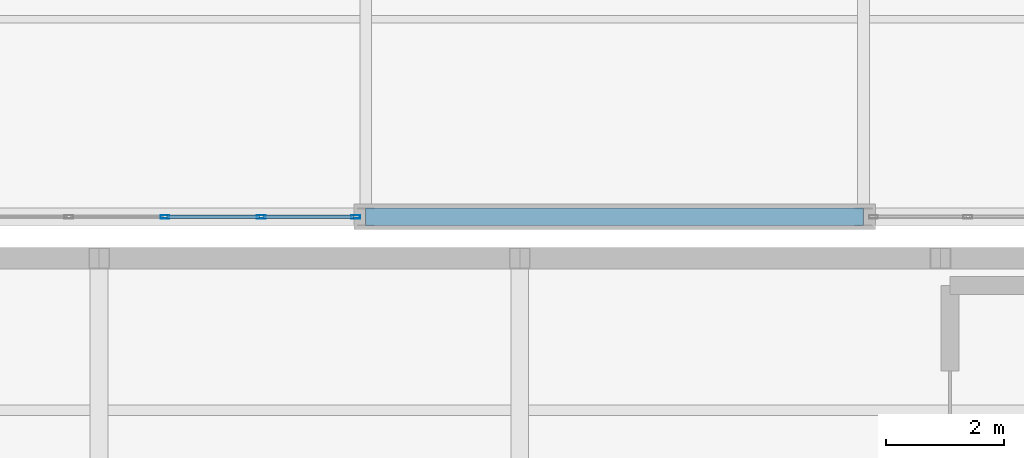
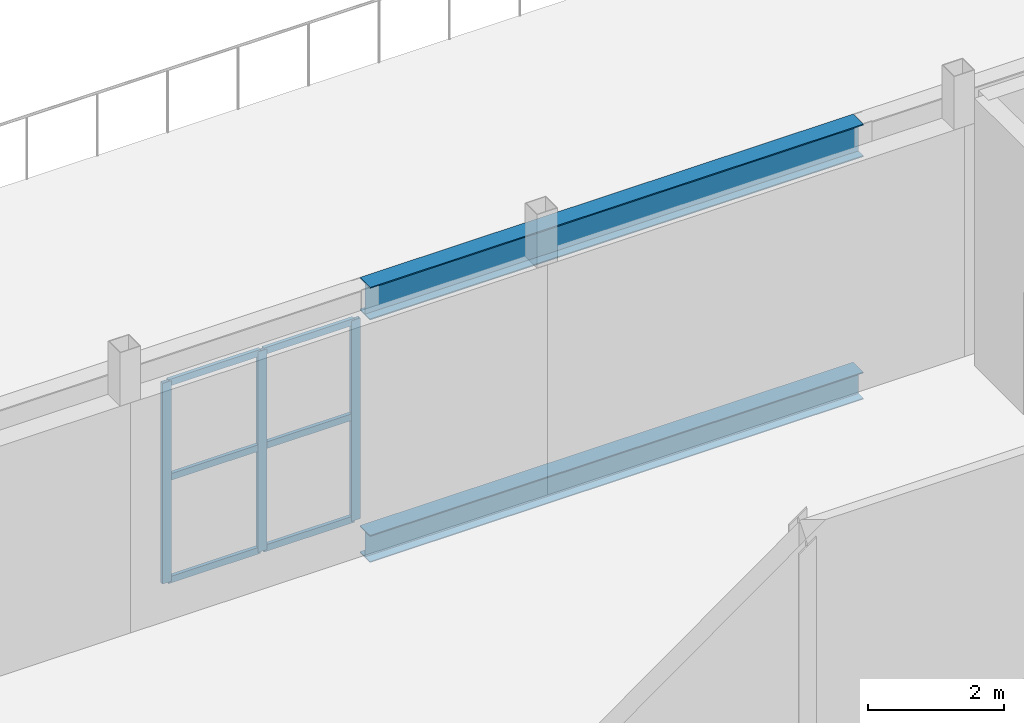
# One storey, part 148 of 218: 9 members, 2 beams, 1 element without a shape of its own.
"""IFC4 building model written with IfcOpenShell, lengths in metres."""

import ifcopenshell
import ifcopenshell.guid

model = None  # the IFC model being written
_history = None  # IfcOwnerHistory: only IFC2X3 demands one
_inside = {}  # id of a spatial element -> (the spatial element, [elements in it])
_under = {}  # id of a project, library or spatial element -> (it, [spatial elements below it])
_declared = {}  # id of a project -> (the project, [libraries it declares])
_typed = {}  # id of a type object -> (the type object, [elements of that type])
_made_of = {}  # id of a material, layer set ... -> (it, [elements and type objects made of it])


def new_model(schema):
    """Start an empty IFC model of exactly this schema.

    Asked for "IFC4X3", IfcOpenShell would pick the latest addendum, in which some entities
    have other attributes; the version numbers below select the first issue.
    IFC2X3 requires an IfcOwnerHistory on every rooted entity: one is made here for all.
    """
    global model, _history
    if schema == "IFC4X3":
        model = ifcopenshell.file(schema_version=(4, 3, 0, 0))
    else:
        model = ifcopenshell.file(schema=schema)
    _inside.clear()
    _under.clear()
    _declared.clear()
    _typed.clear()
    _made_of.clear()
    _history = None
    if model.schema == "IFC2X3":
        org = make("IfcOrganization", Name="unknown")
        user = make(
            "IfcPersonAndOrganization",
            ThePerson=make("IfcPerson", FamilyName="unknown"),
            TheOrganization=org,
        )
        app = make(
            "IfcApplication",
            ApplicationDeveloper=org,
            Version="unknown",
            ApplicationFullName="unknown",
            ApplicationIdentifier="unknown",
        )
        _history = make(
            "IfcOwnerHistory",
            OwningUser=user,
            OwningApplication=app,
            ChangeAction="ADDED",
            CreationDate=0,
        )
    return model


def make(cls, **values):
    """One entity of the class cls with the attributes given. An attribute that is None is left unset."""
    return model.create_entity(
        cls, **{name: value for name, value in values.items() if value is not None}
    )


def rooted(cls, **values):
    """An entity with a GlobalId (a new one), such as an element, a storey or a relation."""
    return make(cls, GlobalId=ifcopenshell.guid.new(), OwnerHistory=_history, **values)


def si_unit(unit_type, name, prefix=None):
    """IfcSIUnit, for example si_unit("LENGTHUNIT", "METRE", prefix="MILLI")."""
    return make("IfcSIUnit", UnitType=unit_type, Prefix=prefix, Name=name)


def assignment(units):
    """IfcUnitAssignment: the units of a project."""
    return None if units is None else make("IfcUnitAssignment", Units=units)


def point(xyz):
    """IfcCartesianPoint."""
    return None if xyz is None else make("IfcCartesianPoint", Coordinates=xyz)


def direction(xyz):
    """IfcDirection."""
    return None if xyz is None else make("IfcDirection", DirectionRatios=xyz)


def frame(location, z_axis=None, x_axis=None):
    """IfcAxis2Placement3D, a coordinate frame: its origin and axes. An axis left out is left unset."""
    return make(
        "IfcAxis2Placement3D",
        Location=point(location),
        Axis=direction(z_axis),
        RefDirection=direction(x_axis),
    )


def frame_2d(location, x_axis=None):
    """IfcAxis2Placement2D, a coordinate frame in the plane: its origin and x axis."""
    return make(
        "IfcAxis2Placement2D", Location=point(location), RefDirection=direction(x_axis)
    )


def origin():
    """The frame at (0, 0, 0) with its axes left unset."""
    return frame((0.0, 0.0, 0.0))


def origin_2d():
    """The frame at (0, 0) in the plane with its x axis left unset."""
    return frame_2d((0.0, 0.0))


def place(relative_to, where):
    """IfcLocalPlacement: puts the frame where relative to a parent placement (None: the world)."""
    return make(
        "IfcLocalPlacement", PlacementRelTo=relative_to, RelativePlacement=where
    )


def context(
    kind, dimensions, precision=None, world=None, true_north=None, identifier=None
):
    """IfcGeometricRepresentationContext, for example the 3D "Model" context."""
    return make(
        "IfcGeometricRepresentationContext",
        ContextIdentifier=identifier,
        ContextType=kind,
        CoordinateSpaceDimension=dimensions,
        Precision=precision,
        WorldCoordinateSystem=world,
        TrueNorth=true_north,
    )


def subcontext(parent, identifier, kind, view, scale=None):
    """IfcGeometricRepresentationSubContext, for example "Body" below "Model"."""
    return make(
        "IfcGeometricRepresentationSubContext",
        ContextIdentifier=identifier,
        ContextType=kind,
        ParentContext=parent,
        TargetScale=scale,
        TargetView=view,
    )


def project(units=None, contexts=None):
    """IfcProject with its units and contexts."""
    return rooted(
        "IfcProject",
        Name="project",
        RepresentationContexts=contexts,
        UnitsInContext=assignment(units),
    )


def spatial(cls, under=None, at=None, **own):
    """A site, building, storey or space (cls), placed at a placement, below another one or the project."""
    s = rooted(cls, ObjectPlacement=at, **own)
    if under is not None:
        _under.setdefault(under.id(), (under, []))[1].append(s)
    return s


def profile(cls, at=None, kind="AREA", **sizes):
    """A parametric profile (cls). Its sizes go by their IFC names, for example OverallWidth=200.0."""
    return make(cls, ProfileType=kind, Position=at, **sizes)


def hollow_rectangle(**sizes):
    """IfcRectangleHollowProfileDef."""
    return profile("IfcRectangleHollowProfileDef", **sizes)


def i_section(**sizes):
    """IfcIShapeProfileDef."""
    return profile("IfcIShapeProfileDef", **sizes)


def extrude(swept, where, along, depth):
    """IfcExtrudedAreaSolid: the profile swept, set in the frame where, extruded along a direction by depth."""
    return make(
        "IfcExtrudedAreaSolid",
        SweptArea=swept,
        Position=where,
        ExtrudedDirection=direction(along),
        Depth=depth,
    )


def shape(context_of_items, identifier, shape_type, items):
    """IfcShapeRepresentation: the items that make up one representation, for example the "Body"."""
    return make(
        "IfcShapeRepresentation",
        ContextOfItems=context_of_items,
        RepresentationIdentifier=identifier,
        RepresentationType=shape_type,
        Items=items,
    )


def material(Name=None, Category=None):
    """IfcMaterial."""
    return make("IfcMaterial", Name=Name, Category=Category)


def material_profile(
    of_material, cross_section, Name=None, Category=None, Priority=None
):
    """IfcMaterialProfile: a cross section and its material."""
    return make(
        "IfcMaterialProfile",
        Name=Name,
        Material=of_material,
        Profile=cross_section,
        Priority=Priority,
        Category=Category,
    )


def profile_set(profiles, Name=None, composite=None):
    """IfcMaterialProfileSet."""
    return make(
        "IfcMaterialProfileSet",
        Name=Name,
        MaterialProfiles=profiles,
        CompositeProfile=composite,
    )


def made_of(thing, what):
    """Note that an element or type object is made of a material, layer set ...; save() writes the relation."""
    if what is not None:
        _made_of.setdefault(what.id(), (what, []))[1].append(thing)
    return thing


def type_object(cls, material=None, **own):
    """A type object (cls), such as IfcWallType, which elements share."""
    return made_of(rooted(cls, **own), material)


def element(
    cls,
    number,
    at=None,
    inside=None,
    cuts=None,
    type_object=None,
    material=None,
    context=None,
    identifier="Body",
    shape_type=None,
    held_by="IfcProductDefinitionShape",
    body=None,
    shapes=None,
    **own,
):
    """One element of the class cls, such as IfcWall. Its Tag is "e" and its number.

    at: its placement. inside: the storey or other place that contains it. cuts: it is an
    opening in that element (IfcRelVoidsElement). A single representation is given by context,
    identifier, shape_type and body (its items); several are given by shapes. held_by: the class
    of the entity that holds the representations. save() writes the other relations.
    """
    e = rooted(cls, Tag="e%d" % number, ObjectPlacement=at, **own)
    if body is not None:
        shapes = [shape(context, identifier, shape_type, body)]
    if shapes is not None:
        e.Representation = make(held_by, Representations=shapes)
    if inside is not None:
        _inside.setdefault(inside.id(), (inside, []))[1].append(e)
    if cuts is not None:
        rooted(
            "IfcRelVoidsElement", RelatingBuildingElement=cuts, RelatedOpeningElement=e
        )
    if type_object is not None:
        _typed.setdefault(type_object.id(), (type_object, []))[1].append(e)
    return made_of(e, material)


def aggregate(whole, parts):
    """IfcRelAggregates: a whole, such as a stair, and the parts it consists of."""
    return rooted("IfcRelAggregates", RelatingObject=whole, RelatedObjects=parts)


def save(model, path):
    """Write the relations noted so far, then the file.

    IfcRelAggregates (storeys below a building ...), IfcRelContainedInSpatialStructure (elements
    in a storey), IfcRelDefinesByType, IfcRelAssociatesMaterial and IfcRelDeclares: one each for
    every whole, place, type object, material and project.
    """
    for whole, parts in _under.values():
        aggregate(whole, parts)
    for where, things in _inside.values():
        rooted(
            "IfcRelContainedInSpatialStructure",
            RelatedElements=things,
            RelatingStructure=where,
        )
    for kind, things in _typed.values():
        rooted("IfcRelDefinesByType", RelatedObjects=things, RelatingType=kind)
    for what, things in _made_of.values():
        rooted("IfcRelAssociatesMaterial", RelatedObjects=things, RelatingMaterial=what)
    for by, libraries in _declared.values():
        rooted("IfcRelDeclares", RelatingContext=by, RelatedDefinitions=libraries)
    model.write(path)


model = new_model("IFC4")

# Units and contexts
model_context = context("Model", 3, precision=1e-05, world=origin(), true_north=direction((0.0, 1.0)))
body_context = subcontext(model_context, "Body", "Model", "MODEL_VIEW")
ifc_project = project(units=[si_unit("LENGTHUNIT", "METRE"), si_unit("AREAUNIT", "SQUARE_METRE"), si_unit("VOLUMEUNIT", "CUBIC_METRE"), si_unit("PLANEANGLEUNIT", "RADIAN"), si_unit("MASSUNIT", "GRAM", prefix="KILO")], contexts=[model_context])

# Site, building, storey
site_placement = place(None, origin())
site = spatial("IfcSite", under=ifc_project, at=site_placement, CompositionType="ELEMENT")
building_placement = place(site_placement, origin())
building = spatial("IfcBuilding", under=site, at=building_placement, Name="Kazenagashi Tramway Depot", CompositionType="ELEMENT")
storey_placement = place(building_placement, frame((0.0, 0.0, 6.0)))
storey = spatial("IfcBuildingStorey", under=building, at=storey_placement, Name="L02", CompositionType="ELEMENT", Elevation=6.0)

# Curtain wall, members
ifc_material_1 = material(Name="Anodised Aluminium and Low-E Glazing", Category="aluminium")
curtain_wall_type = type_object("IfcCurtainWallType", Name="CW-11", PredefinedType="USERDEFINED", material=ifc_material_1)
curtain_wall_placement = place(storey_placement, origin())
curtain_wall = element("IfcCurtainWall", 1, at=curtain_wall_placement, inside=storey, type_object=curtain_wall_type, Name="Industrial Glazed Screen CW-11 CW-0052", ObjectType="GLAZED SCREEN", PredefinedType="USERDEFINED")
ifc_material_2 = material(Name="Anodised Aluminium", Category="aluminium")
ifc_material_profile_1 = material_profile(ifc_material_2, hollow_rectangle(XDim=0.06, YDim=0.15, WallThickness=0.004, at=origin_2d()), Name="RHS-150x60x4")
ifc_profile_set_1 = profile_set([ifc_material_profile_1], Name="Anodised Aluminium")
member_type_1 = type_object("IfcMemberType", Name="ML-01", PredefinedType="MULLION", material=ifc_profile_set_1)
member_1_placement = place(storey_placement, frame((175.812, 70.0, 0.0), z_axis=(0.0, 0.0, 1.0), x_axis=(0.0, 1.0, 0.0)))
member_1 = element("IfcMember", 2, at=member_1_placement, type_object=member_type_1, Name="CW-11 mullion 4", PredefinedType="MULLION", context=body_context, shape_type="SweptSolid", body=[
    extrude(hollow_rectangle(XDim=0.06, YDim=0.15, WallThickness=0.004, at=origin_2d()), origin(), (0.0, 0.0, 1.0), 3.612),
])
member_2_placement = place(storey_placement, frame((177.436, 70.0, 0.0), z_axis=(0.0, 0.0, 1.0), x_axis=(0.0, 1.0, 0.0)))
member_2 = element("IfcMember", 3, at=member_2_placement, type_object=member_type_1, Name="CW-11 mullion 5", PredefinedType="MULLION", context=body_context, shape_type="SweptSolid", body=[
    extrude(hollow_rectangle(XDim=0.06, YDim=0.15, WallThickness=0.004, at=origin_2d()), origin(), (0.0, 0.0, 1.0), 3.612),
])
member_3_placement = place(storey_placement, frame((179.03, 70.0, 0.0), z_axis=(0.0, 0.0, 1.0), x_axis=(0.0, 1.0, 0.0)))
member_3 = element("IfcMember", 4, at=member_3_placement, type_object=member_type_1, Name="CW-11 mullion 6", PredefinedType="MULLION", context=body_context, shape_type="SweptSolid", body=[
    extrude(hollow_rectangle(XDim=0.06, YDim=0.15, WallThickness=0.004, at=origin_2d()), origin(), (0.0, 0.0, 1.0), 3.612),
])

# Beams
ifc_material_3 = material(Name="Steel SN490B", Category="steel")
ifc_material_profile_2 = material_profile(ifc_material_3, i_section(OverallWidth=0.3, OverallDepth=0.588, WebThickness=0.012, FlangeThickness=0.02, at=origin_2d()), Name="H-588x300x12x20")
ifc_profile_set_2 = profile_set([ifc_material_profile_2], Name="Steel SN490B")
beam_type_1 = type_object("IfcBeamType", Name="SP-01", PredefinedType="SPANDREL", material=ifc_profile_set_2)
beam_1_placement = place(storey_placement, frame((179.2, 70.0, 3.906), z_axis=(1.0, 0.0, 0.0), x_axis=(0.0, 1.0, 0.0)))
element("IfcBeam", 5, at=beam_1_placement, inside=storey, type_object=beam_type_1, Name="Beam SP-01 BM-1860", PredefinedType="SPANDREL", context=body_context, shape_type="SweptSolid", body=[
    extrude(i_section(OverallWidth=0.3, OverallDepth=0.588, WebThickness=0.012, FlangeThickness=0.02, at=origin_2d()), origin(), (0.0, 0.0, 1.0), 8.4),
])
ifc_material_profile_3 = material_profile(ifc_material_3, i_section(OverallWidth=0.3, OverallDepth=0.488, WebThickness=0.011, FlangeThickness=0.018, at=origin_2d()), Name="H-488x300x11x18")
ifc_profile_set_3 = profile_set([ifc_material_profile_3], Name="Steel SN490B")
beam_type_2 = type_object("IfcBeamType", Name="SP-02", PredefinedType="SPANDREL", material=ifc_profile_set_3)
beam_2_placement = place(storey_placement, frame((179.2, 70.0, -0.509), z_axis=(1.0, 0.0, 0.0), x_axis=(0.0, 1.0, 0.0)))
element("IfcBeam", 6, at=beam_2_placement, inside=storey, type_object=beam_type_2, Name="Beam SP-02 BM-1717", PredefinedType="SPANDREL", context=body_context, shape_type="SweptSolid", body=[
    extrude(i_section(OverallWidth=0.3, OverallDepth=0.488, WebThickness=0.011, FlangeThickness=0.018, at=origin_2d()), origin(), (0.0, 0.0, 1.0), 8.4),
])

# Member
ifc_material_profile_4 = material_profile(ifc_material_2, hollow_rectangle(XDim=0.06, YDim=0.12, WallThickness=0.004, at=origin_2d()), Name="RHS-120x60x4")
ifc_profile_set_4 = profile_set([ifc_material_profile_4], Name="Anodised Aluminium")
member_type_2 = type_object("IfcMemberType", Name="TR-01", PredefinedType="USERDEFINED", material=ifc_profile_set_4)
member_4_placement = place(storey_placement, frame((175.842, 70.0, 0.03), z_axis=(1.0, 0.0, 0.0), x_axis=(0.0, 1.0, 0.0)))
member_4 = element("IfcMember", 7, at=member_4_placement, type_object=member_type_2, Name="CW-11 transom 4.1", ObjectType="TRANSOM", PredefinedType="USERDEFINED", context=body_context, shape_type="SweptSolid", body=[
    extrude(hollow_rectangle(XDim=0.06, YDim=0.12, WallThickness=0.004, at=origin_2d()), origin(), (0.0, 0.0, 1.0), 1.564),
])

member_5_placement = place(storey_placement, frame((175.842, 70.0, 1.878), z_axis=(1.0, 0.0, 0.0), x_axis=(0.0, 1.0, 0.0)))
member_5 = element("IfcMember", 8, at=member_5_placement, type_object=member_type_2, Name="CW-11 transom 4.2", ObjectType="TRANSOM", PredefinedType="USERDEFINED", context=body_context, shape_type="SweptSolid", body=[
    extrude(hollow_rectangle(XDim=0.06, YDim=0.12, WallThickness=0.004, at=origin_2d()), origin(), (0.0, 0.0, 1.0), 1.564),
])

member_6_placement = place(storey_placement, frame((175.842, 70.0, 3.582), z_axis=(1.0, 0.0, 0.0), x_axis=(0.0, 1.0, 0.0)))
member_6 = element("IfcMember", 9, at=member_6_placement, type_object=member_type_2, Name="CW-11 transom 4.3", ObjectType="TRANSOM", PredefinedType="USERDEFINED", context=body_context, shape_type="SweptSolid", body=[
    extrude(hollow_rectangle(XDim=0.06, YDim=0.12, WallThickness=0.004, at=origin_2d()), origin(), (0.0, 0.0, 1.0), 1.564),
])

member_7_placement = place(storey_placement, frame((177.466, 70.0, 0.03), z_axis=(1.0, 0.0, 0.0), x_axis=(0.0, 1.0, 0.0)))
member_7 = element("IfcMember", 10, at=member_7_placement, type_object=member_type_2, Name="CW-11 transom 5.1", ObjectType="TRANSOM", PredefinedType="USERDEFINED", context=body_context, shape_type="SweptSolid", body=[
    extrude(hollow_rectangle(XDim=0.06, YDim=0.12, WallThickness=0.004, at=origin_2d()), origin(), (0.0, 0.0, 1.0), 1.534),
])

member_8_placement = place(storey_placement, frame((177.466, 70.0, 1.878), z_axis=(1.0, 0.0, 0.0), x_axis=(0.0, 1.0, 0.0)))
member_8 = element("IfcMember", 11, at=member_8_placement, type_object=member_type_2, Name="CW-11 transom 5.2", ObjectType="TRANSOM", PredefinedType="USERDEFINED", context=body_context, shape_type="SweptSolid", body=[
    extrude(hollow_rectangle(XDim=0.06, YDim=0.12, WallThickness=0.004, at=origin_2d()), origin(), (0.0, 0.0, 1.0), 1.534),
])

member_9_placement = place(storey_placement, frame((177.466, 70.0, 3.582), z_axis=(1.0, 0.0, 0.0), x_axis=(0.0, 1.0, 0.0)))
member_9 = element("IfcMember", 12, at=member_9_placement, type_object=member_type_2, Name="CW-11 transom 5.3", ObjectType="TRANSOM", PredefinedType="USERDEFINED", context=body_context, shape_type="SweptSolid", body=[
    extrude(hollow_rectangle(XDim=0.06, YDim=0.12, WallThickness=0.004, at=origin_2d()), origin(), (0.0, 0.0, 1.0), 1.534),
])

aggregate(curtain_wall, [member_1, member_2, member_3, member_4, member_5, member_6, member_7, member_8, member_9])

save(model, "model.ifc")
